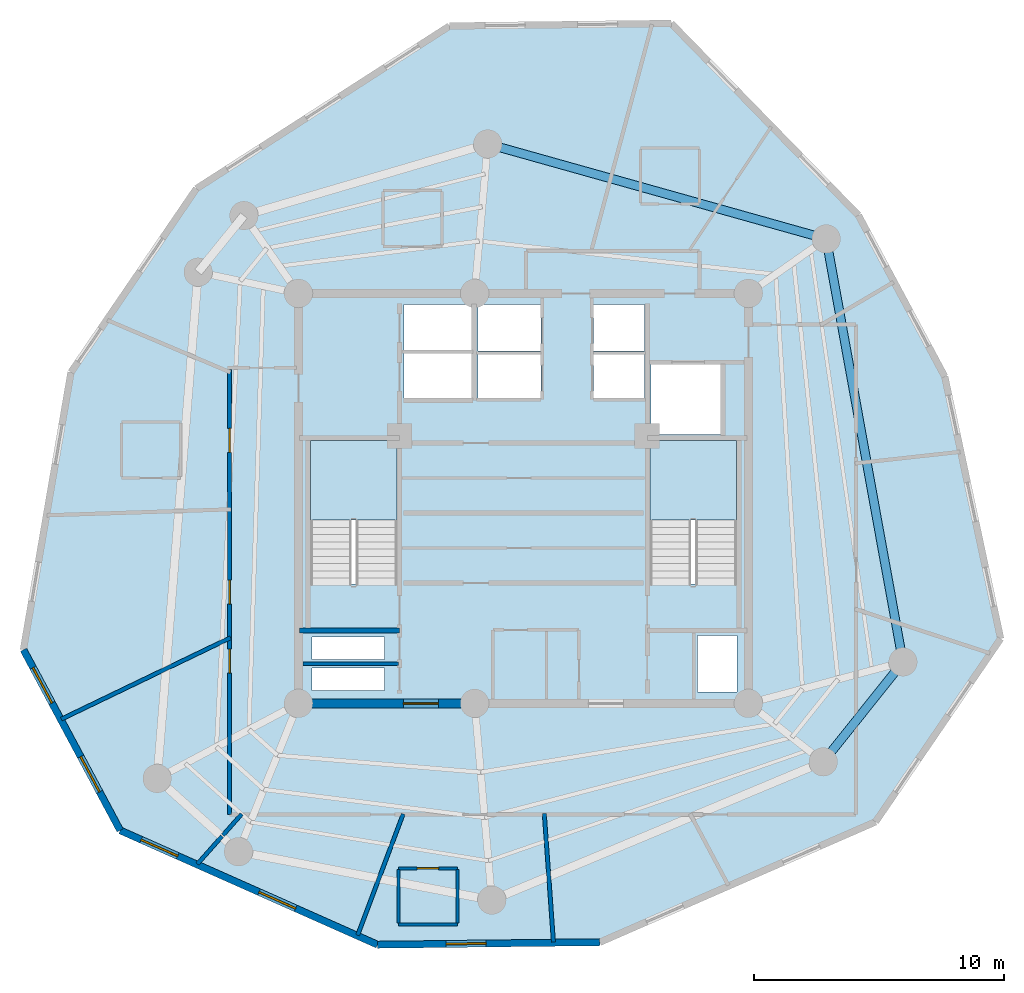
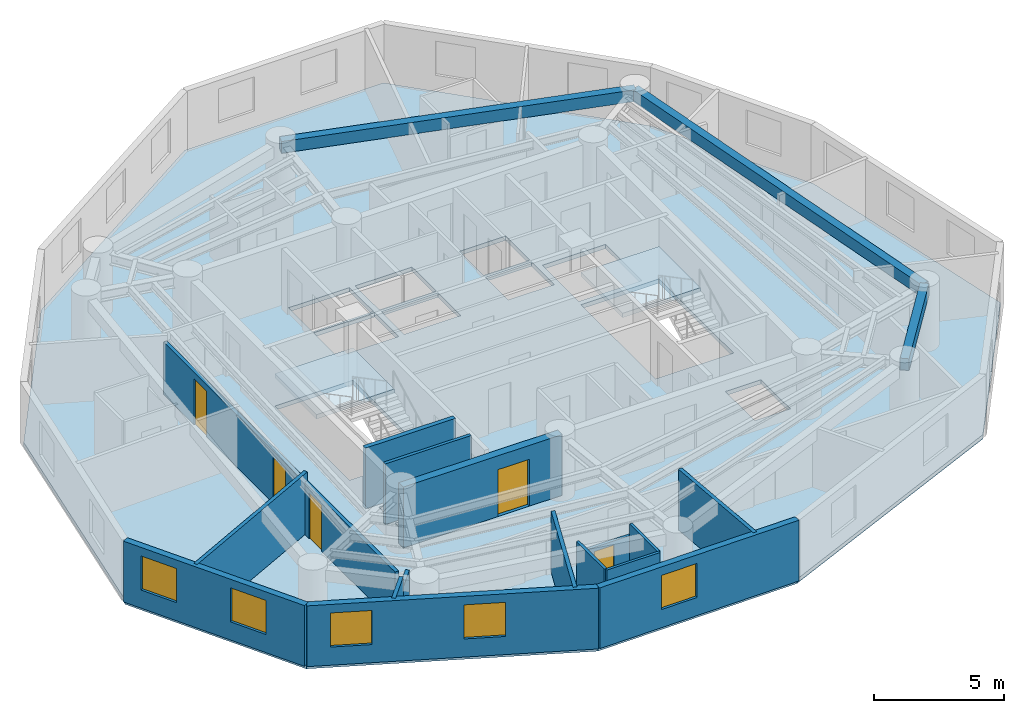
# One storey, part 2 of 7: 16 walls, 5 doors, 5 windows, 3 beams, 3 slabs, 10 openings, 2 elements without a shape of their own.
"""IFC4 building model written with IfcOpenShell, lengths in metres."""

from ifc_helpers import new_model, si_unit, direction, frame, frame_2d, origin, origin_with_axes, origin_2d, place, context, subcontext, project, spatial, polyline, rectangle, outline, extrude, source, transform, mapped, material, layer, layer_set, material_profile, profile_set, type_object, element, fill, aggregate, save


model = new_model("IFC4")

# Units and contexts
model_context = context("Model", 3, precision=1e-05, world=origin(), true_north=direction((0.0, 1.0)))
body_context = subcontext(model_context, "Body", "Model", "MODEL_VIEW")
ifc_project = project(units=[si_unit("LENGTHUNIT", "METRE"), si_unit("AREAUNIT", "SQUARE_METRE"), si_unit("VOLUMEUNIT", "CUBIC_METRE"), si_unit("PLANEANGLEUNIT", "RADIAN"), si_unit("MASSUNIT", "GRAM", prefix="KILO")], contexts=[model_context])

# Site, building, storey
site_placement = place(None, origin())
site = spatial("IfcSite", under=ifc_project, at=site_placement, CompositionType="ELEMENT")
building_placement = place(site_placement, origin())
building = spatial("IfcBuilding", under=site, at=building_placement, Name="Karkom Vertical University and Central Library", CompositionType="ELEMENT")
storey_placement = place(building_placement, frame((0.0, 0.0, 256.550048828125)))
storey = spatial("IfcBuildingStorey", under=building, at=storey_placement, Name="L76", CompositionType="ELEMENT", Elevation=256.550048828125)

# Beams
ifc_material_1 = material(Name="Precast concrete C45/55", Category="concrete")
ifc_material_profile = material_profile(ifc_material_1, rectangle(XDim=0.35009765625, YDim=0.550048828125, at=origin_2d()), Name="SPB-350x550")
ifc_profile_set = profile_set([ifc_material_profile], Name="Precast concrete C45/55")
beam_type = type_object("IfcBeamType", Name="STR-BM-SP-2", PredefinedType="SPANDREL", material=ifc_profile_set)
shared_shape_1 = source(origin_with_axes(), body_context, "Body", "SweptSolid", [
    extrude(rectangle(XDim=0.35009765625, YDim=0.550048828125, at=origin_2d()), origin(), (0.0, 0.0, 1.0), 17.19970703125),
])
beam_1_placement = place(storey_placement, frame((43.681884765625, 19.9560546875, 2.574951171875), z_axis=(-0.178423249727, 0.983953832228, 0.0), x_axis=(-0.983953832228, -0.178423249727, 0.0)))
element("IfcBeam", 1, at=beam_1_placement, inside=storey, type_object=beam_type, Name="Level 76 Perimeter Spandrel Beam 01", PredefinedType="SPANDREL", context=body_context, shape_type="MappedRepresentation", body=[
    mapped(shared_shape_1, transform((0.0, 0.0, 0.0), scale=1.0)),
])
shared_shape_2 = source(origin_with_axes(), body_context, "Body", "SweptSolid", [
    extrude(rectangle(XDim=0.35009765625, YDim=0.550048828125, at=origin_2d()), origin(), (0.0, 0.0, 1.0), 14.0625),
])
beam_2_placement = place(storey_placement, frame((40.613037109375, 36.8798828125, 2.574951171875), z_axis=(-0.962854853531, 0.270019501207, 0.0), x_axis=(-0.270019501207, -0.962854853531, 0.0)))
element("IfcBeam", 2, at=beam_2_placement, inside=storey, type_object=beam_type, Name="Level 76 Perimeter Spandrel Beam 02", PredefinedType="SPANDREL", context=body_context, shape_type="MappedRepresentation", body=[
    mapped(shared_shape_2, transform((0.0, 0.0, 0.0), scale=1.0)),
])
shared_shape_3 = source(origin_with_axes(), body_context, "Body", "SweptSolid", [
    extrude(rectangle(XDim=0.35009765625, YDim=0.550048828125, at=origin_2d()), origin(), (0.0, 0.0, 1.0), 5.112060546875),
])
beam_3_placement = place(storey_placement, frame((40.493896484375, 15.9599609375, 2.574951171875), z_axis=(0.623634459503, 0.78171609995, 0.0), x_axis=(-0.78171609995, 0.623634459503, 0.0)))
element("IfcBeam", 3, at=beam_3_placement, inside=storey, type_object=beam_type, Name="Level 76 Perimeter Spandrel Beam 09", PredefinedType="SPANDREL", context=body_context, shape_type="MappedRepresentation", body=[
    mapped(shared_shape_3, transform((0.0, 0.0, 0.0), scale=1.0)),
])

# Stair, slab
ifc_material_2 = material(Name="Concrete C45/55", Category="concrete")
stair_type = type_object("IfcStairType", Name="INT-STR-ST-MAIN", PredefinedType="HALF_TURN_STAIR", material=ifc_material_2)
stair_1_placement = place(storey_placement, origin())
stair_1 = element("IfcStair", 4, at=stair_1_placement, inside=storey, type_object=stair_type, Name="Level 76 Tower Protected Exit Stair ST-1", PredefinedType="HALF_TURN_STAIR")
ifc_layer_1 = layer(ifc_material_2, 0.199951171875)
ifc_layer_set_1 = layer_set([ifc_layer_1], Name="Concrete C45/55")
slab_type_1 = type_object("IfcSlabType", Name="INT-SLB-LANDING", PredefinedType="LANDING", material=ifc_layer_set_1)
slab_1_placement = place(storey_placement, frame((0.0, 0.0, 1.324951171875)))
slab_1 = element("IfcSlab", 5, at=slab_1_placement, type_object=slab_type_1, Name="ST-1 landing 1", PredefinedType="LANDING", context=body_context, shape_type="SweptSolid", body=[
    extrude(outline(polyline([(23.43994140625, 25.6298828125), (23.43994140625, 28.820068359375), (19.97998046875, 28.820068359375), (19.97998046875, 25.6298828125), (23.43994140625, 25.6298828125)])), origin(), (0.0, 0.0, 1.0), 0.199951171875),
])
aggregate(stair_1, [slab_1])

stair_2_placement = place(storey_placement, origin())
stair_2 = element("IfcStair", 6, at=stair_2_placement, inside=storey, type_object=stair_type, Name="Level 76 Tower Protected Exit Stair ST-2", PredefinedType="HALF_TURN_STAIR")
slab_2_placement = place(storey_placement, frame((0.0, 0.0, 1.324951171875)))
slab_2 = element("IfcSlab", 7, at=slab_2_placement, type_object=slab_type_1, Name="ST-2 landing 1", PredefinedType="LANDING", context=body_context, shape_type="SweptSolid", body=[
    extrude(outline(polyline([(37.02001953125, 25.6298828125), (37.02001953125, 28.820068359375), (33.56005859375, 28.820068359375), (33.56005859375, 25.6298828125), (37.02001953125, 25.6298828125)])), origin(), (0.0, 0.0, 1.0), 0.199951171875),
])
aggregate(stair_2, [slab_2])

# Slab
ifc_material_3 = material(Name="Concrete C40/50", Category="concrete")
ifc_layer_2 = layer(ifc_material_3, 0.199951171875)
ifc_layer_set_2 = layer_set([ifc_layer_2], Name="Concrete C40/50")
slab_type_2 = type_object("IfcSlabType", Name="STR-SLB-FLR-200", PredefinedType="FLOOR", material=ifc_layer_set_2)
slab_3_placement = place(storey_placement, frame((0.0, 0.0, -0.199951171875)))
element("IfcSlab", 8, at=slab_3_placement, inside=storey, type_object=slab_type_2, Name="Level 76 Tower Structural Floor Slab", PredefinedType="FLOOR", context=body_context, shape_type="SweptSolid", body=[
    extrude(outline(polyline([(8.501708984375, 20.44189453125), (12.368408203125, 13.218017578125), (22.664794921875, 8.644287109375), (31.553955078125, 8.74560546875), (42.583740234375, 13.56298828125), (47.5869140625, 20.88818359375), (45.352294921875, 31.372314453125), (41.89990234375, 37.82177734375), (34.414794921875, 45.495361328125), (25.544677734375, 45.39404296875), (15.41943359375, 38.886962890625), (10.405517578125, 31.546142578125), (8.501708984375, 20.44189453125)]), holes=[polyline([(19.97998046875, 23.0849609375), (23.43994140625, 23.0849609375), (23.43994140625, 28.820068359375), (19.97998046875, 28.820068359375), (19.97998046875, 23.0849609375)]), polyline([(33.56005859375, 23.0849609375), (37.02001953125, 23.0849609375), (37.02001953125, 28.820068359375), (33.56005859375, 28.820068359375), (33.56005859375, 23.0849609375)]), polyline([(26.679931640625, 30.5), (29.199951171875, 30.5), (29.199951171875, 32.25), (26.679931640625, 32.25), (26.679931640625, 30.5)]), polyline([(26.679931640625, 32.39990234375), (29.199951171875, 32.39990234375), (29.199951171875, 34.25), (26.679931640625, 34.25), (26.679931640625, 32.39990234375)]), polyline([(31.300048828125, 30.5), (33.35009765625, 30.5), (33.35009765625, 32.25), (31.300048828125, 32.25), (31.300048828125, 30.5)]), polyline([(31.300048828125, 32.39990234375), (33.35009765625, 32.39990234375), (33.35009765625, 34.25), (31.300048828125, 34.25), (31.300048828125, 32.39990234375)]), polyline([(23.719970703125, 30.47998046875), (26.429931640625, 30.47998046875), (26.429931640625, 32.320068359375), (23.719970703125, 32.320068359375), (23.719970703125, 30.47998046875)]), polyline([(23.719970703125, 32.419921875), (26.429931640625, 32.419921875), (26.429931640625, 34.260009765625), (23.719970703125, 34.260009765625), (23.719970703125, 32.419921875)]), polyline([(33.60009765625, 29.050048828125), (36.39990234375, 29.050048828125), (36.39990234375, 31.85009765625), (33.60009765625, 31.85009765625), (33.60009765625, 29.050048828125)]), polyline([(20.050048828125, 18.820068359375), (22.949951171875, 18.820068359375), (22.949951171875, 19.719970703125), (20.050048828125, 19.719970703125), (20.050048828125, 18.820068359375)]), polyline([(20.050048828125, 20.06005859375), (22.949951171875, 20.06005859375), (22.949951171875, 20.9599609375), (20.050048828125, 20.9599609375), (20.050048828125, 20.06005859375)]), polyline([(35.4599609375, 18.760009765625), (37.0400390625, 18.760009765625), (37.0400390625, 21.010009765625), (35.4599609375, 21.010009765625), (35.4599609375, 18.760009765625)])]), origin(), (0.0, 0.0, 1.0), 0.199951171875),
])

# Wall, openings, windows
ifc_material_4 = material(Name="Brick-faced precast concrete C45/55", Category="masonry")
ifc_layer_3 = layer(ifc_material_4, 0.280029296875)
ifc_layer_set_3 = layer_set([ifc_layer_3], Name="Brick-faced precast concrete C45/55")
wall_type_1 = type_object("IfcWallType", Name="ENV-WL-BRK-280", PredefinedType="SOLIDWALL", material=ifc_layer_set_3)
wall_1_placement = place(storey_placement, frame((8.501708984375, 20.44189453125, 0.0), z_axis=(0.0, 0.0, 1.0), x_axis=(0.47191462029, -0.881644254309, 0.0)))
wall_1 = element("IfcWall", 9, at=wall_1_placement, inside=storey, type_object=wall_type_1, Name="Level 76 Brick-Faced Precast Facade Wall 01", PredefinedType="SOLIDWALL", context=body_context, shape_type="SweptSolid", body=[
    extrude(rectangle(XDim=8.193603515625, YDim=0.280029296875, at=frame_2d((4.0966796875, 0.0))), origin(), (0.0, 0.0, 1.0), 2.849853515625),
])
opening_1_placement = place(wall_1_placement, frame((0.810791015625, 0.0, 0.85009765625)))
opening_1 = element("IfcOpeningElement", 10, at=opening_1_placement, cuts=wall_1, Name="Opening WN-10", PredefinedType="OPENING", context=body_context, shape_type="SweptSolid", body=[
    extrude(rectangle(XDim=1.60009765625, YDim=1.60009765625, at=frame_2d((0.800048828125, 0.800048828125))), frame((0.0, 0.14990234375, 0.0), z_axis=(0.0, -1.0, 0.0), x_axis=(1.0, 0.0, 0.0)), (0.0, 0.0, 1.0), 0.300048828125),
])
opening_2_placement = place(wall_1_placement, frame((4.847412109375, 0.0, 0.85009765625)))
opening_2 = element("IfcOpeningElement", 11, at=opening_2_placement, cuts=wall_1, Name="Opening WN-10", PredefinedType="OPENING", context=body_context, shape_type="SweptSolid", body=[
    extrude(rectangle(XDim=1.60009765625, YDim=1.60009765625, at=frame_2d((0.800048828125, 0.800048828125))), frame((0.0, 0.14990234375, 0.0), z_axis=(0.0, -1.0, 0.0), x_axis=(1.0, 0.0, 0.0)), (0.0, 0.0, 1.0), 0.300048828125),
])
ifc_material_5 = material(Name="Aluminium thermal-break frame with solar-control IGU", Category="aluminium")
window_type = type_object("IfcWindowType", Name="ENV-WIN-WN-10", PartitioningType="SINGLE_PANEL", PredefinedType="WINDOW", material=ifc_material_5)
shared_shape_4 = source(origin_with_axes(), body_context, "Body", "SweptSolid", [
    extrude(rectangle(XDim=1.60009765625, YDim=1.60009765625, at=frame_2d((0.800048828125, 0.800048828125))), frame((0.0, 0.030029296875, 0.0), z_axis=(0.0, -1.0, 0.0), x_axis=(1.0, 0.0, 0.0)), (0.0, 0.0, 1.0), 0.06005859375),
])
window_1_placement = place(opening_1_placement, origin())
window_1 = element("IfcWindow", 12, at=window_1_placement, inside=storey, type_object=window_type, Name="Level 76 Punched Window 1.1", OverallHeight=1.60009765625, OverallWidth=1.60009765625, PartitioningType="SINGLE_PANEL", PredefinedType="WINDOW", context=body_context, shape_type="MappedRepresentation", body=[
    mapped(shared_shape_4, transform((0.0, 0.0, 0.0), scale=1.0)),
])
fill(opening_1, window_1)
window_2_placement = place(opening_2_placement, origin())
window_2 = element("IfcWindow", 13, at=window_2_placement, inside=storey, type_object=window_type, Name="Level 76 Punched Window 1.2", OverallHeight=1.60009765625, OverallWidth=1.60009765625, PartitioningType="SINGLE_PANEL", PredefinedType="WINDOW", context=body_context, shape_type="MappedRepresentation", body=[
    mapped(shared_shape_4, transform((0.0, 0.0, 0.0), scale=1.0)),
])
fill(opening_2, window_2)

wall_2_placement = place(storey_placement, frame((12.368408203125, 13.218017578125, 0.0), z_axis=(0.0, 0.0, 1.0), x_axis=(0.913891953807, -0.405957506109, 0.0)))
wall_2 = element("IfcWall", 14, at=wall_2_placement, inside=storey, type_object=wall_type_1, Name="Level 76 Brick-Faced Precast Facade Wall 02", PredefinedType="SOLIDWALL", context=body_context, shape_type="SweptSolid", body=[
    extrude(rectangle(XDim=11.2666015625, YDim=0.280029296875, at=frame_2d((5.63330078125, 0.0))), origin(), (0.0, 0.0, 1.0), 2.849853515625),
])
opening_3_placement = place(wall_2_placement, frame((0.920654296875, 0.0, 0.85009765625)))
opening_3 = element("IfcOpeningElement", 15, at=opening_3_placement, cuts=wall_2, Name="Opening WN-10", PredefinedType="OPENING", context=body_context, shape_type="SweptSolid", body=[
    extrude(rectangle(XDim=1.60009765625, YDim=1.60009765625, at=frame_2d((0.800048828125, 0.800048828125))), frame((0.0, 0.14990234375, 0.0), z_axis=(0.0, -1.0, 0.0), x_axis=(1.0, 0.0, 0.0)), (0.0, 0.0, 1.0), 0.300048828125),
])
opening_4_placement = place(wall_2_placement, frame((6.081787109375, 0.0, 0.85009765625)))
opening_4 = element("IfcOpeningElement", 16, at=opening_4_placement, cuts=wall_2, Name="Opening WN-10", PredefinedType="OPENING", context=body_context, shape_type="SweptSolid", body=[
    extrude(rectangle(XDim=1.60009765625, YDim=1.60009765625, at=frame_2d((0.800048828125, 0.800048828125))), frame((0.0, 0.14990234375, 0.0), z_axis=(0.0, -1.0, 0.0), x_axis=(1.0, 0.0, 0.0)), (0.0, 0.0, 1.0), 0.300048828125),
])
window_3_placement = place(opening_3_placement, origin())
window_3 = element("IfcWindow", 17, at=window_3_placement, inside=storey, type_object=window_type, Name="Level 76 Punched Window 2.1", OverallHeight=1.60009765625, OverallWidth=1.60009765625, PartitioningType="SINGLE_PANEL", PredefinedType="WINDOW", context=body_context, shape_type="MappedRepresentation", body=[
    mapped(shared_shape_4, transform((0.0, 0.0, 0.0), scale=1.0)),
])
fill(opening_3, window_3)
window_4_placement = place(opening_4_placement, origin())
window_4 = element("IfcWindow", 18, at=window_4_placement, inside=storey, type_object=window_type, Name="Level 76 Punched Window 2.2", OverallHeight=1.60009765625, OverallWidth=1.60009765625, PartitioningType="SINGLE_PANEL", PredefinedType="WINDOW", context=body_context, shape_type="MappedRepresentation", body=[
    mapped(shared_shape_4, transform((0.0, 0.0, 0.0), scale=1.0)),
])
fill(opening_4, window_4)

# Wall, opening, window
wall_3_placement = place(storey_placement, frame((22.664794921875, 8.644287109375, 0.0), z_axis=(0.0, 0.0, 1.0), x_axis=(0.999935049496, 0.011397227288, 0.0)))
wall_3 = element("IfcWall", 19, at=wall_3_placement, inside=storey, type_object=wall_type_1, Name="Level 76 Brick-Faced Precast Facade Wall 03", PredefinedType="SOLIDWALL", context=body_context, shape_type="SweptSolid", body=[
    extrude(rectangle(XDim=8.8896484375, YDim=0.280029296875, at=frame_2d((4.44482421875, 0.0))), origin(), (0.0, 0.0, 1.0), 2.849853515625),
])
opening_5_placement = place(wall_3_placement, frame((2.747802734375, 0.0, 0.85009765625)))
opening_5 = element("IfcOpeningElement", 20, at=opening_5_placement, cuts=wall_3, Name="Opening WN-10", PredefinedType="OPENING", context=body_context, shape_type="SweptSolid", body=[
    extrude(rectangle(XDim=1.60009765625, YDim=1.60009765625, at=frame_2d((0.800048828125, 0.800048828125))), frame((0.0, 0.14990234375, 0.0), z_axis=(0.0, -1.0, 0.0), x_axis=(1.0, 0.0, 0.0)), (0.0, 0.0, 1.0), 0.300048828125),
])
window_5_placement = place(opening_5_placement, origin())
window_5 = element("IfcWindow", 21, at=window_5_placement, inside=storey, type_object=window_type, Name="Level 76 Punched Window 3.1", OverallHeight=1.60009765625, OverallWidth=1.60009765625, PartitioningType="SINGLE_PANEL", PredefinedType="WINDOW", context=body_context, shape_type="MappedRepresentation", body=[
    mapped(shared_shape_4, transform((0.0, 0.0, 0.0), scale=1.0)),
])
fill(opening_5, window_5)

# Wall, openings, doors
ifc_material_6 = material(Name="Insulated metal-stud drywall 160mm", Category="gypsum")
ifc_layer_4 = layer(ifc_material_6, 0.159912109375)
ifc_layer_set_4 = layer_set([ifc_layer_4], Name="Insulated metal-stud drywall 160mm")
wall_type_2 = type_object("IfcWallType", Name="INT-WL-COR-160", PredefinedType="PARTITIONING", material=ifc_layer_set_4)
wall_4_placement = place(storey_placement, frame((16.75, 13.85009765625, 0.0), z_axis=(0.0, 0.0, 1.0), x_axis=(0.0, 1.0, 0.0)))
wall_4 = element("IfcWall", 22, at=wall_4_placement, inside=storey, type_object=wall_type_2, Name="Level 76 Interior Partition Wall L76-CORW-CW-002", PredefinedType="PARTITIONING", context=body_context, shape_type="SweptSolid", body=[
    extrude(rectangle(XDim=17.7998046875, YDim=0.159912109375, at=frame_2d((8.89990234375, 0.0))), origin(), (0.0, 0.0, 1.0), 2.449951171875),
])
opening_6_placement = place(wall_4_placement, frame((14.49169921875, 0.0, 0.0)))
opening_6 = element("IfcOpeningElement", 23, at=opening_6_placement, cuts=wall_4, Name="Opening FD-RM2", PredefinedType="OPENING", context=body_context, shape_type="SweptSolid", body=[
    extrude(rectangle(XDim=0.9599609375, YDim=2.14990234375, at=frame_2d((0.47998046875, 1.074951171875))), frame((0.0, 0.08984375, 0.0), z_axis=(0.0, -1.0, 0.0), x_axis=(1.0, 0.0, 0.0)), (0.0, 0.0, 1.0), 0.179931640625),
])
opening_7_placement = place(wall_4_placement, frame((8.425048828125, 0.0, 0.0)))
opening_7 = element("IfcOpeningElement", 24, at=opening_7_placement, cuts=wall_4, Name="Opening FD-RM2", PredefinedType="OPENING", context=body_context, shape_type="SweptSolid", body=[
    extrude(rectangle(XDim=0.9599609375, YDim=2.14990234375, at=frame_2d((0.47998046875, 1.074951171875))), frame((0.0, 0.08984375, 0.0), z_axis=(0.0, -1.0, 0.0), x_axis=(1.0, 0.0, 0.0)), (0.0, 0.0, 1.0), 0.179931640625),
])
opening_8_placement = place(wall_4_placement, frame((5.6650390625, 0.0, 0.0)))
opening_8 = element("IfcOpeningElement", 25, at=opening_8_placement, cuts=wall_4, Name="Opening FD-RM2", PredefinedType="OPENING", context=body_context, shape_type="SweptSolid", body=[
    extrude(rectangle(XDim=0.9599609375, YDim=2.14990234375, at=frame_2d((0.47998046875, 1.074951171875))), frame((0.0, 0.08984375, 0.0), z_axis=(0.0, -1.0, 0.0), x_axis=(1.0, 0.0, 0.0)), (0.0, 0.0, 1.0), 0.179931640625),
])
ifc_material_7 = material(Name="Fire-rated oak veneer door", Category="wood")
door_type_1 = type_object("IfcDoorType", Name="INT-DR-FRM2", OperationType="NOTDEFINED", PredefinedType="DOOR", material=ifc_material_7)
shared_shape_5 = source(origin_with_axes(), body_context, "Body", "SweptSolid", [
    extrude(rectangle(XDim=0.9599609375, YDim=2.14990234375, at=frame_2d((0.47998046875, 1.074951171875))), frame((0.0, 0.02490234375, 0.0), z_axis=(0.0, -1.0, 0.0), x_axis=(1.0, 0.0, 0.0)), (0.0, 0.0, 1.0), 0.050048828125),
])
door_1_placement = place(opening_6_placement, origin())
door_1 = element("IfcDoor", 26, at=door_1_placement, inside=storey, type_object=door_type_1, Name="Level 76 Room Entry Door 420", OperationType="SINGLE_SWING_LEFT", OverallHeight=2.14990234375, OverallWidth=0.9599609375, PredefinedType="DOOR", context=body_context, shape_type="MappedRepresentation", body=[
    mapped(shared_shape_5, transform((0.0, 0.0, 0.0), scale=1.0)),
])
fill(opening_6, door_1)
door_2_placement = place(opening_7_placement, origin())
door_2 = element("IfcDoor", 27, at=door_2_placement, inside=storey, type_object=door_type_1, Name="Level 76 Room Entry Door 300", OperationType="SINGLE_SWING_RIGHT", OverallHeight=2.14990234375, OverallWidth=0.9599609375, PredefinedType="DOOR", context=body_context, shape_type="MappedRepresentation", body=[
    mapped(shared_shape_5, transform((0.0, 0.0, 0.0), scale=1.0)),
])
fill(opening_7, door_2)
door_3_placement = place(opening_8_placement, origin())
door_3 = element("IfcDoor", 28, at=door_3_placement, inside=storey, type_object=door_type_1, Name="Level 76 Room Entry Door 301", OperationType="SINGLE_SWING_LEFT", OverallHeight=2.14990234375, OverallWidth=0.9599609375, PredefinedType="DOOR", context=body_context, shape_type="MappedRepresentation", body=[
    mapped(shared_shape_5, transform((0.0, 0.0, 0.0), scale=1.0)),
])
fill(opening_8, door_3)

# Walls
wall_5_placement = place(storey_placement, frame((16.79052734375, 20.9296875, 0.0), z_axis=(0.0, 0.0, 1.0), x_axis=(-0.901021408569, -0.433774620397, 0.0)))
element("IfcWall", 29, at=wall_5_placement, inside=storey, type_object=wall_type_2, Name="Level 76 Interior Partition Wall L76-PW-001", PredefinedType="PARTITIONING", context=body_context, shape_type="SweptSolid", body=[
    extrude(rectangle(XDim=7.52001953125, YDim=0.159912109375, at=frame_2d((3.760009765625, 0.0))), origin(), (0.0, 0.0, 1.0), 2.849853515625),
])
wall_6_placement = place(storey_placement, frame((23.692626953125, 13.878173828125, 0.0), z_axis=(0.0, 0.0, 1.0), x_axis=(-0.351773606859, -0.936085108052, 0.0)))
element("IfcWall", 30, at=wall_6_placement, inside=storey, type_object=wall_type_2, Name="Level 76 Interior Partition Wall L76-PW-006", PredefinedType="PARTITIONING", context=body_context, shape_type="SweptSolid", body=[
    extrude(rectangle(XDim=5.184326171875, YDim=0.159912109375, at=frame_2d((2.59228515625, 0.0))), origin(), (0.0, 0.0, 1.0), 2.849853515625),
])
wall_7_placement = place(storey_placement, frame((29.335693359375, 13.89501953125, 0.0), z_axis=(0.0, 0.0, 1.0), x_axis=(0.070897251303, -0.997483623804, 0.0)))
element("IfcWall", 31, at=wall_7_placement, inside=storey, type_object=wall_type_2, Name="Level 76 Interior Partition Wall L76-PW-007", PredefinedType="PARTITIONING", context=body_context, shape_type="SweptSolid", body=[
    extrude(rectangle(XDim=5.158447265625, YDim=0.159912109375, at=frame_2d((2.5791015625, 0.0))), origin(), (0.0, 0.0, 1.0), 2.849853515625),
])
wall_8_placement = place(storey_placement, frame((16.443115234375, 12.984130859375, 0.0), z_axis=(0.0, 0.0, 1.0), x_axis=(-0.663320096345, -0.748335786786, 0.0)))
element("IfcWall", 32, at=wall_8_placement, inside=storey, type_object=wall_type_2, Name="Level 76 Interior Partition Wall L76-PW-005", PredefinedType="PARTITIONING", context=body_context, shape_type="SweptSolid", body=[
    extrude(rectangle(XDim=1.481689453125, YDim=0.159912109375, at=frame_2d((0.74072265625, 0.0))), origin(), (0.0, 0.0, 1.0), 2.849853515625),
])
wall_9_placement = place(storey_placement, frame((17.22998046875, 13.87255859375, 0.0), z_axis=(0.0, 0.0, 1.0), x_axis=(-0.663076715011, -0.748551447805, 0.0)))
element("IfcWall", 33, at=wall_9_placement, inside=storey, type_object=wall_type_2, Name="Level 76 Interior Partition Wall L76-PW-004", PredefinedType="PARTITIONING", context=body_context, shape_type="SweptSolid", body=[
    extrude(rectangle(XDim=1.131103515625, YDim=0.159912109375, at=frame_2d((0.5654296875, 0.0))), origin(), (0.0, 0.0, 1.0), 2.349853515625),
])
ifc_material_8 = material(Name="Moisture-resistant drywall 120mm", Category="gypsum")
ifc_layer_5 = layer(ifc_material_8, 0.1201171875)
ifc_layer_set_5 = layer_set([ifc_layer_5], Name="Moisture-resistant drywall 120mm")
wall_type_3 = type_object("IfcWallType", Name="INT-WL-INT-120F", PredefinedType="PARTITIONING", material=ifc_layer_set_5)
wall_10_placement = place(storey_placement, frame((23.5009765625, 9.4609375, 0.0), z_axis=(0.0, 0.0, 1.0), x_axis=(1.0, 0.0, 0.0)))
element("IfcWall", 34, at=wall_10_placement, inside=storey, type_object=wall_type_3, Name="Level 76 Interior Partition Wall L76-ENS-43-S", PredefinedType="PARTITIONING", context=body_context, shape_type="SweptSolid", body=[
    extrude(rectangle(XDim=2.360107421875, YDim=0.1201171875, at=frame_2d((1.18017578125, 0.0))), origin(), (0.0, 0.0, 1.0), 2.849853515625),
])

# Wall, opening, door
wall_11_placement = place(storey_placement, frame((25.861083984375, 11.700927734375, 0.0), z_axis=(0.0, 0.0, 1.0), x_axis=(-1.0, 0.0, 0.0)))
wall_11 = element("IfcWall", 35, at=wall_11_placement, inside=storey, type_object=wall_type_3, Name="Level 76 Interior Partition Wall L76-ENS-43-N", PredefinedType="PARTITIONING", context=body_context, shape_type="SweptSolid", body=[
    extrude(rectangle(XDim=2.360107421875, YDim=0.1201171875, at=frame_2d((1.18017578125, 0.0))), origin(), (0.0, 0.0, 1.0), 2.300048828125),
])
opening_9_placement = place(wall_11_placement, frame((0.75, 0.0, 0.0)))
opening_9 = element("IfcOpeningElement", 36, at=opening_9_placement, cuts=wall_11, Name="Opening D-BATH", PredefinedType="OPENING", context=body_context, shape_type="SweptSolid", body=[
    extrude(rectangle(XDim=0.860107421875, YDim=2.10009765625, at=frame_2d((0.43017578125, 1.050048828125))), frame((0.0, 0.070068359375, 0.0), z_axis=(0.0, -1.0, 0.0), x_axis=(1.0, 0.0, 0.0)), (0.0, 0.0, 1.0), 0.14013671875),
])
ifc_material_9 = material(Name="Moisture-resistant oak door", Category="wood")
door_type_2 = type_object("IfcDoorType", Name="INT-DR-BATH", OperationType="NOTDEFINED", PredefinedType="DOOR", material=ifc_material_9)
shared_shape_6 = source(origin_with_axes(), body_context, "Body", "SweptSolid", [
    extrude(rectangle(XDim=0.860107421875, YDim=2.10009765625, at=frame_2d((0.43017578125, 1.050048828125))), frame((0.0, 0.02490234375, 0.0), z_axis=(0.0, -1.0, 0.0), x_axis=(1.0, 0.0, 0.0)), (0.0, 0.0, 1.0), 0.050048828125),
])
door_4_placement = place(opening_9_placement, origin())
door_4 = element("IfcDoor", 37, at=door_4_placement, inside=storey, type_object=door_type_2, Name="Level 76 En-Suite Bathroom Door 43", OperationType="SINGLE_SWING_LEFT", OverallHeight=2.10009765625, OverallWidth=0.860107421875, PredefinedType="DOOR", context=body_context, shape_type="MappedRepresentation", body=[
    mapped(shared_shape_6, transform((0.0, 0.0, 0.0), scale=1.0)),
])
fill(opening_9, door_4)

# Walls
for number, where, z_axis, x_axis, name in (
    (38, (25.861083984375, 9.510986328125, 0.0), (0.0, 0.0, 1.0), (0.0, 1.0, 0.0), "Level 76 Interior Partition Wall L76-ENS-43-E"),
    (39, (23.5009765625, 11.65087890625, 0.0), (0.0, 0.0, 1.0), (0.0, -1.0, 0.0), "Level 76 Interior Partition Wall L76-ENS-43-W"),
):
    element("IfcWall", number, at=place(storey_placement, frame(where, z_axis=z_axis, x_axis=x_axis)), inside=storey, type_object=wall_type_3, Name=name, PredefinedType="PARTITIONING", context=body_context, shape_type="SweptSolid", body=[
        extrude(rectangle(XDim=2.139892578125, YDim=0.1201171875, at=frame_2d((1.06982421875, 0.0))), origin(), (0.0, 0.0, 1.0), 2.849853515625),
    ])
ifc_material_10 = material(Name="Metal-stud gypsum partition 140mm", Category="gypsum")
ifc_layer_6 = layer(ifc_material_10, 0.139892578125)
ifc_layer_set_6 = layer_set([ifc_layer_6], Name="Metal-stud gypsum partition 140mm")
wall_type_4 = type_object("IfcWallType", Name="INT-WL-SUB-140H", PredefinedType="PARTITIONING", material=ifc_layer_set_6)
wall_12_placement = place(storey_placement, frame((19.681884765625, 19.889892578125, 0.0), z_axis=(0.0, 0.0, 1.0), x_axis=(1.0, 0.0, 0.0)))
element("IfcWall", 40, at=wall_12_placement, inside=storey, type_object=wall_type_4, Name="Level 76 Interior Partition Wall L76-CW-RIS-W", PredefinedType="PARTITIONING", context=body_context, shape_type="SweptSolid", body=[
    extrude(rectangle(XDim=3.8154296875, YDim=0.139892578125, at=frame_2d((1.90771484375, 0.0))), origin(), (0.0, 0.0, 1.0), 2.849853515625),
])

# Wall, opening, door
ifc_layer_7 = layer(ifc_material_2, 0.35009765625)
ifc_layer_set_7 = layer_set([ifc_layer_7], Name="Concrete C45/55")
wall_type_5 = type_object("IfcWallType", Name="STR-WL-CW-350", PredefinedType="SHEAR", material=ifc_layer_set_7)
wall_13_placement = place(storey_placement, frame((19.5, 18.300048828125, 0.0), z_axis=(0.0, 0.0, 1.0), x_axis=(1.0, 0.0, 0.0)))
wall_13 = element("IfcWall", 41, at=wall_13_placement, inside=storey, type_object=wall_type_5, Name="Level 76 Central Core Shear Wall SW1", PredefinedType="SHEAR", context=body_context, shape_type="SweptSolid", body=[
    extrude(rectangle(XDim=7.050048828125, YDim=0.35009765625, at=frame_2d((3.52490234375, 0.0))), origin(), (0.0, 0.0, 1.0), 2.849853515625),
])
opening_10_placement = place(wall_13_placement, frame((4.199951171875, 0.0, 0.0)))
opening_10 = element("IfcOpeningElement", 42, at=opening_10_placement, cuts=wall_13, Name="Opening FD-CLB", PredefinedType="OPENING", context=body_context, shape_type="SweptSolid", body=[
    extrude(rectangle(XDim=1.39990234375, YDim=2.199951171875, at=frame_2d((0.699951171875, 1.10009765625))), frame((0.0, 0.18505859375, 0.0), z_axis=(0.0, -1.0, 0.0), x_axis=(1.0, 0.0, 0.0)), (0.0, 0.0, 1.0), 0.3701171875),
])
ifc_material_11 = material(Name="Painted steel fire door", Category="steel")
door_type_3 = type_object("IfcDoorType", Name="INT-DR-CLB", OperationType="DOUBLE_DOOR_SINGLE_SWING", PredefinedType="DOOR", material=ifc_material_11)
shared_shape_7 = source(origin_with_axes(), body_context, "Body", "SweptSolid", [
    extrude(rectangle(XDim=1.39990234375, YDim=2.199951171875, at=frame_2d((0.699951171875, 1.10009765625))), frame((0.0, 0.02490234375, 0.0), z_axis=(0.0, -1.0, 0.0), x_axis=(1.0, 0.0, 0.0)), (0.0, 0.0, 1.0), 0.050048828125),
])
door_5_placement = place(opening_10_placement, origin())
door_5 = element("IfcDoor", 43, at=door_5_placement, inside=storey, type_object=door_type_3, Name="Level 76 South Core Lobby West Exit Door", OperationType="DOUBLE_DOOR_SINGLE_SWING", OverallHeight=2.199951171875, OverallWidth=1.39990234375, PredefinedType="DOOR", context=body_context, shape_type="MappedRepresentation", body=[
    mapped(shared_shape_7, transform((0.0, 0.0, 0.0), scale=1.0)),
])
fill(opening_10, door_5)

# Wall
ifc_layer_8 = layer(ifc_material_2, 0.199951171875)
ifc_layer_set_8 = layer_set([ifc_layer_8], Name="Concrete C45/55")
wall_type_6 = type_object("IfcWallType", Name="STR-WL-ST-200", PredefinedType="SHEAR", material=ifc_layer_set_8)
wall_14_placement = place(storey_placement, frame((19.550048828125, 21.215087890625, 0.0), z_axis=(0.0, 0.0, 1.0), x_axis=(1.0, 0.0, 0.0)))
element("IfcWall", 44, at=wall_14_placement, inside=storey, type_object=wall_type_6, Name="Level 76 Core Shaft Wall L76-CW-ST1-S", PredefinedType="SHEAR", context=body_context, shape_type="SweptSolid", body=[
    extrude(rectangle(XDim=3.994873046875, YDim=0.199951171875, at=frame_2d((1.99755859375, 0.0))), origin(), (0.0, 0.0, 1.0), 2.849853515625),
])

save(model, "model.ifc")
